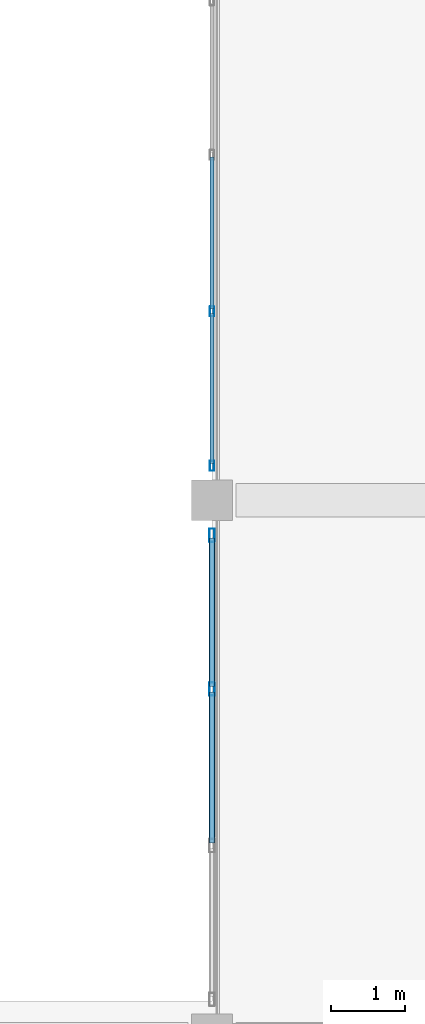
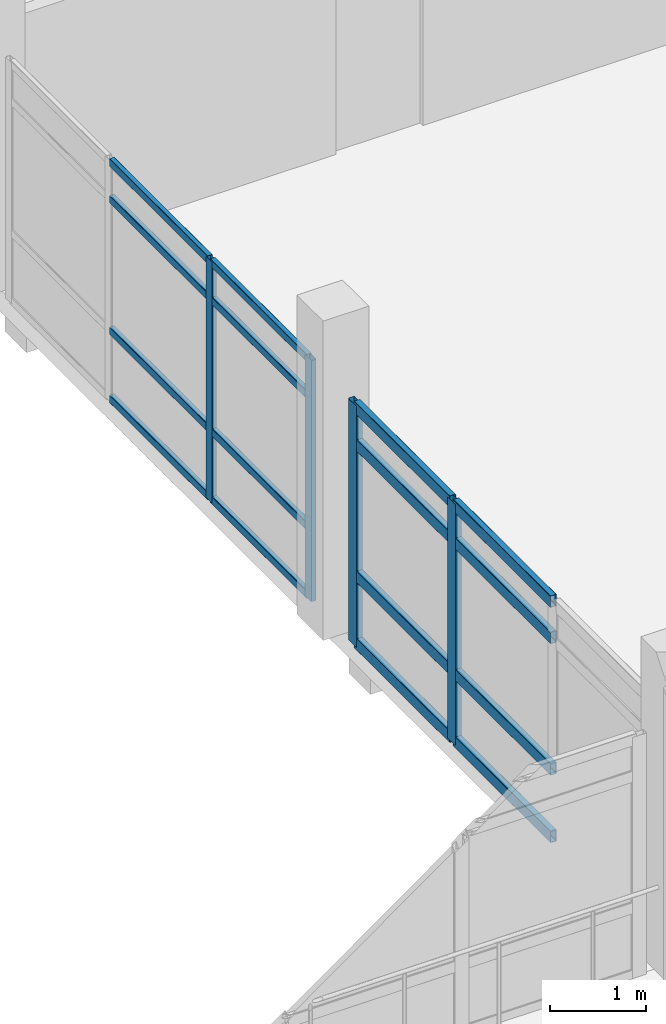
# One storey, part 18 of 50: 20 members, 2 elements without a shape of their own.
"""IFC4 building model written with IfcOpenShell, lengths in metres."""

from ifc_helpers import new_model, si_unit, direction, frame, origin, origin_2d, place, context, subcontext, project, spatial, hollow_rectangle, extrude, material, layer, layer_set, material_profile, profile_set, type_object, element, aggregate, save


model = new_model("IFC4")

# Units and contexts
model_context = context("Model", 3, precision=1e-05, world=origin(), true_north=direction((0.0, 1.0)))
body_context = subcontext(model_context, "Body", "Model", "MODEL_VIEW")
ifc_project = project(units=[si_unit("LENGTHUNIT", "METRE"), si_unit("AREAUNIT", "SQUARE_METRE"), si_unit("VOLUMEUNIT", "CUBIC_METRE"), si_unit("PLANEANGLEUNIT", "RADIAN"), si_unit("MASSUNIT", "GRAM", prefix="KILO")], contexts=[model_context])

# Site, building, storey
site_placement = place(None, origin())
site = spatial("IfcSite", under=ifc_project, at=site_placement, CompositionType="ELEMENT")
building_placement = place(site_placement, origin())
building = spatial("IfcBuilding", under=site, at=building_placement, Name="Asteropetra Specialist Clinic", CompositionType="ELEMENT")
storey_placement = place(building_placement, frame((0.0, 0.0, 16.659912109375)))
storey = spatial("IfcBuildingStorey", under=building, at=storey_placement, Name="L04", CompositionType="ELEMENT", Elevation=16.659912109375)

# Curtain wall, members
ifc_material_1 = material(Name="Aluminium and low-E glass", Category="aluminium")
ifc_layer_1 = layer(ifc_material_1, 0.135009765625)
ifc_layer_set_1 = layer_set([ifc_layer_1], Name="Aluminium and low-E glass")
curtain_wall_type_1 = type_object("IfcCurtainWallType", Name="CW-SYS-06", PredefinedType="USERDEFINED", material=ifc_layer_set_1)
curtain_wall_1_placement = place(storey_placement, origin())
curtain_wall_1 = element("IfcCurtainWall", 1, at=curtain_wall_1_placement, inside=storey, type_object=curtain_wall_type_1, Name="Curtain Wall CW-056", ObjectType="UNITISED CURTAIN WALL", PredefinedType="USERDEFINED")
ifc_material_2 = material(Name="Aluminium 6063-T6", Category="aluminium")
ifc_material_profile_1 = material_profile(ifc_material_2, hollow_rectangle(XDim=0.06005859375, YDim=0.135009765625, WallThickness=0.00341796875, InnerFilletRadius=0.00341796875, OuterFilletRadius=0.007080078125, at=origin_2d()), Name="MUL 135x60x3.5")
ifc_profile_set_1 = profile_set([ifc_material_profile_1], Name="Aluminium 6063-T6")
member_type_1 = type_object("IfcMemberType", Name="CWM-135x60", PredefinedType="MULLION", material=ifc_profile_set_1)
member_1_placement = place(storey_placement, frame((28.800048828125, 84.465087890625, 0.0), z_axis=(0.0, 0.0, 1.0), x_axis=(-1.0, 0.0, 0.0)))
member_1 = element("IfcMember", 2, at=member_1_placement, type_object=member_type_1, Name="CW-056 mullion 1", PredefinedType="MULLION", context=body_context, shape_type="SweptSolid", body=[
    extrude(hollow_rectangle(XDim=0.06005859375, YDim=0.135009765625, WallThickness=0.00341796875, InnerFilletRadius=0.00341796875, OuterFilletRadius=0.007080078125, at=origin_2d()), origin(), (0.0, 0.0, 1.0), 3.080078125),
])
member_2_placement = place(storey_placement, frame((28.800048828125, 86.544921875, 0.0), z_axis=(0.0, 0.0, 1.0), x_axis=(-1.0, 0.0, 0.0)))
member_2 = element("IfcMember", 3, at=member_2_placement, type_object=member_type_1, Name="CW-056 mullion 2", PredefinedType="MULLION", context=body_context, shape_type="SweptSolid", body=[
    extrude(hollow_rectangle(XDim=0.06005859375, YDim=0.135009765625, WallThickness=0.00341796875, InnerFilletRadius=0.00341796875, OuterFilletRadius=0.007080078125, at=origin_2d()), origin(), (0.0, 0.0, 1.0), 3.080078125),
])

ifc_material_3 = material(Name="Aluminium and low-E glass", Category="aluminium")
ifc_layer_2 = layer(ifc_material_3, 0.14990234375)
ifc_layer_set_2 = layer_set([ifc_layer_2], Name="Aluminium and low-E glass")
curtain_wall_type_2 = type_object("IfcCurtainWallType", Name="CW-SYS-05", PredefinedType="USERDEFINED", material=ifc_layer_set_2)
curtain_wall_2_placement = place(storey_placement, origin())
curtain_wall_2 = element("IfcCurtainWall", 4, at=curtain_wall_2_placement, inside=storey, type_object=curtain_wall_type_2, Name="Curtain Wall CW-054", ObjectType="UNITISED CURTAIN WALL", PredefinedType="USERDEFINED")
ifc_material_4 = material(Name="Aluminium 6063-T6", Category="aluminium")
ifc_material_profile_2 = material_profile(ifc_material_4, hollow_rectangle(XDim=0.074951171875, YDim=0.179931640625, WallThickness=0.00390625, InnerFilletRadius=0.00390625, OuterFilletRadius=0.008056640625, at=origin_2d()), Name="MUL 180x75x4.0")
ifc_profile_set_2 = profile_set([ifc_material_profile_2], Name="Aluminium 6063-T6")
member_type_2 = type_object("IfcMemberType", Name="CWM-180x75", PredefinedType="MULLION", material=ifc_profile_set_2)
member_3_placement = place(storey_placement, frame((28.800048828125, 81.455078125, 0.0), z_axis=(0.0, 0.0, 1.0), x_axis=(-1.0, 0.0, 0.0)))
member_3 = element("IfcMember", 5, at=member_3_placement, type_object=member_type_2, Name="CW-054 mullion 3", PredefinedType="MULLION", context=body_context, shape_type="SweptSolid", body=[
    extrude(hollow_rectangle(XDim=0.074951171875, YDim=0.179931640625, WallThickness=0.00390625, InnerFilletRadius=0.00390625, OuterFilletRadius=0.008056640625, at=origin_2d()), origin(), (0.0, 0.0, 1.0), 3.080078125),
])
member_4_placement = place(storey_placement, frame((28.800048828125, 83.527587890625, 0.0), z_axis=(0.0, 0.0, 1.0), x_axis=(-1.0, 0.0, 0.0)))
member_4 = element("IfcMember", 6, at=member_4_placement, type_object=member_type_2, Name="CW-054 mullion 4", PredefinedType="MULLION", context=body_context, shape_type="SweptSolid", body=[
    extrude(hollow_rectangle(XDim=0.074951171875, YDim=0.179931640625, WallThickness=0.00390625, InnerFilletRadius=0.00390625, OuterFilletRadius=0.008056640625, at=origin_2d()), origin(), (0.0, 0.0, 1.0), 3.080078125),
])

# Member
ifc_material_5 = material(Name="Aluminium 6063-T6", Category="aluminium")
ifc_material_profile_3 = material_profile(ifc_material_5, hollow_rectangle(XDim=0.06005859375, YDim=0.10009765625, WallThickness=0.00341796875, InnerFilletRadius=0.00341796875, OuterFilletRadius=0.007080078125, at=origin_2d()), Name="TRN 100x60x3.5")
ifc_profile_set_3 = profile_set([ifc_material_profile_3], Name="Aluminium 6063-T6")
member_type_3 = type_object("IfcMemberType", Name="CWT-100x60", PredefinedType="USERDEFINED", material=ifc_profile_set_3)
member_5_placement = place(storey_placement, frame((28.800048828125, 84.4951171875, 0.030029296875), z_axis=(0.0, 1.0, 0.0), x_axis=(-1.0, 0.0, 0.0)))
member_5 = element("IfcMember", 7, at=member_5_placement, type_object=member_type_3, Name="CW-056 transom 1.1", ObjectType="TRANSOM", PredefinedType="USERDEFINED", context=body_context, shape_type="SweptSolid", body=[
    extrude(hollow_rectangle(XDim=0.06005859375, YDim=0.10009765625, WallThickness=0.00341796875, InnerFilletRadius=0.00341796875, OuterFilletRadius=0.007080078125, at=origin_2d()), origin(), (0.0, 0.0, 1.0), 2.019775390625),
])

member_6_placement = place(storey_placement, frame((28.800048828125, 84.4951171875, 0.900146484375), z_axis=(0.0, 1.0, 0.0), x_axis=(-1.0, 0.0, 0.0)))
member_6 = element("IfcMember", 8, at=member_6_placement, type_object=member_type_3, Name="CW-056 transom 1.2", ObjectType="TRANSOM", PredefinedType="USERDEFINED", context=body_context, shape_type="SweptSolid", body=[
    extrude(hollow_rectangle(XDim=0.06005859375, YDim=0.10009765625, WallThickness=0.00341796875, InnerFilletRadius=0.00341796875, OuterFilletRadius=0.007080078125, at=origin_2d()), origin(), (0.0, 0.0, 1.0), 2.019775390625),
])

member_7_placement = place(storey_placement, frame((28.800048828125, 84.4951171875, 2.580078125), z_axis=(0.0, 1.0, 0.0), x_axis=(-1.0, 0.0, 0.0)))
member_7 = element("IfcMember", 9, at=member_7_placement, type_object=member_type_3, Name="CW-056 transom 1.3", ObjectType="TRANSOM", PredefinedType="USERDEFINED", context=body_context, shape_type="SweptSolid", body=[
    extrude(hollow_rectangle(XDim=0.06005859375, YDim=0.10009765625, WallThickness=0.00341796875, InnerFilletRadius=0.00341796875, OuterFilletRadius=0.007080078125, at=origin_2d()), origin(), (0.0, 0.0, 1.0), 2.019775390625),
])

member_8_placement = place(storey_placement, frame((28.800048828125, 84.4951171875, 3.050048828125), z_axis=(0.0, 1.0, 0.0), x_axis=(-1.0, 0.0, 0.0)))
member_8 = element("IfcMember", 10, at=member_8_placement, type_object=member_type_3, Name="CW-056 transom 1.4", ObjectType="TRANSOM", PredefinedType="USERDEFINED", context=body_context, shape_type="SweptSolid", body=[
    extrude(hollow_rectangle(XDim=0.06005859375, YDim=0.10009765625, WallThickness=0.00341796875, InnerFilletRadius=0.00341796875, OuterFilletRadius=0.007080078125, at=origin_2d()), origin(), (0.0, 0.0, 1.0), 2.019775390625),
])

member_9_placement = place(storey_placement, frame((28.800048828125, 86.574951171875, 0.030029296875), z_axis=(0.0, 1.0, 0.0), x_axis=(-1.0, 0.0, 0.0)))
member_9 = element("IfcMember", 11, at=member_9_placement, type_object=member_type_3, Name="CW-056 transom 2.1", ObjectType="TRANSOM", PredefinedType="USERDEFINED", context=body_context, shape_type="SweptSolid", body=[
    extrude(hollow_rectangle(XDim=0.06005859375, YDim=0.10009765625, WallThickness=0.00341796875, InnerFilletRadius=0.00341796875, OuterFilletRadius=0.007080078125, at=origin_2d()), origin(), (0.0, 0.0, 1.0), 2.050048828125),
])

member_10_placement = place(storey_placement, frame((28.800048828125, 86.574951171875, 0.900146484375), z_axis=(0.0, 1.0, 0.0), x_axis=(-1.0, 0.0, 0.0)))
member_10 = element("IfcMember", 12, at=member_10_placement, type_object=member_type_3, Name="CW-056 transom 2.2", ObjectType="TRANSOM", PredefinedType="USERDEFINED", context=body_context, shape_type="SweptSolid", body=[
    extrude(hollow_rectangle(XDim=0.06005859375, YDim=0.10009765625, WallThickness=0.00341796875, InnerFilletRadius=0.00341796875, OuterFilletRadius=0.007080078125, at=origin_2d()), origin(), (0.0, 0.0, 1.0), 2.050048828125),
])

member_11_placement = place(storey_placement, frame((28.800048828125, 86.574951171875, 2.580078125), z_axis=(0.0, 1.0, 0.0), x_axis=(-1.0, 0.0, 0.0)))
member_11 = element("IfcMember", 13, at=member_11_placement, type_object=member_type_3, Name="CW-056 transom 2.3", ObjectType="TRANSOM", PredefinedType="USERDEFINED", context=body_context, shape_type="SweptSolid", body=[
    extrude(hollow_rectangle(XDim=0.06005859375, YDim=0.10009765625, WallThickness=0.00341796875, InnerFilletRadius=0.00341796875, OuterFilletRadius=0.007080078125, at=origin_2d()), origin(), (0.0, 0.0, 1.0), 2.050048828125),
])

member_12_placement = place(storey_placement, frame((28.800048828125, 86.574951171875, 3.050048828125), z_axis=(0.0, 1.0, 0.0), x_axis=(-1.0, 0.0, 0.0)))
member_12 = element("IfcMember", 14, at=member_12_placement, type_object=member_type_3, Name="CW-056 transom 2.4", ObjectType="TRANSOM", PredefinedType="USERDEFINED", context=body_context, shape_type="SweptSolid", body=[
    extrude(hollow_rectangle(XDim=0.06005859375, YDim=0.10009765625, WallThickness=0.00341796875, InnerFilletRadius=0.00341796875, OuterFilletRadius=0.007080078125, at=origin_2d()), origin(), (0.0, 0.0, 1.0), 2.050048828125),
])

aggregate(curtain_wall_1, [member_1, member_2, member_5, member_6, member_7, member_8, member_9, member_10, member_11, member_12])

ifc_material_6 = material(Name="Aluminium 6063-T6", Category="aluminium")
ifc_material_profile_4 = material_profile(ifc_material_6, hollow_rectangle(XDim=0.074951171875, YDim=0.14990234375, WallThickness=0.00390625, InnerFilletRadius=0.00390625, OuterFilletRadius=0.008056640625, at=origin_2d()), Name="TRN 150x75x4.0")
ifc_profile_set_4 = profile_set([ifc_material_profile_4], Name="Aluminium 6063-T6")
member_type_4 = type_object("IfcMemberType", Name="CWT-150x75", PredefinedType="USERDEFINED", material=ifc_profile_set_4)
member_13_placement = place(storey_placement, frame((28.800048828125, 79.382568359375, 0.03759765625), z_axis=(0.0, 1.0, 0.0), x_axis=(-1.0, 0.0, 0.0)))
member_13 = element("IfcMember", 15, at=member_13_placement, type_object=member_type_4, Name="CW-054 transom 2.1", ObjectType="TRANSOM", PredefinedType="USERDEFINED", context=body_context, shape_type="SweptSolid", body=[
    extrude(hollow_rectangle(XDim=0.074951171875, YDim=0.14990234375, WallThickness=0.00390625, InnerFilletRadius=0.00390625, OuterFilletRadius=0.008056640625, at=origin_2d()), origin(), (0.0, 0.0, 1.0), 2.034912109375),
])

member_14_placement = place(storey_placement, frame((28.800048828125, 79.382568359375, 0.900146484375), z_axis=(0.0, 1.0, 0.0), x_axis=(-1.0, 0.0, 0.0)))
member_14 = element("IfcMember", 16, at=member_14_placement, type_object=member_type_4, Name="CW-054 transom 2.2", ObjectType="TRANSOM", PredefinedType="USERDEFINED", context=body_context, shape_type="SweptSolid", body=[
    extrude(hollow_rectangle(XDim=0.074951171875, YDim=0.14990234375, WallThickness=0.00390625, InnerFilletRadius=0.00390625, OuterFilletRadius=0.008056640625, at=origin_2d()), origin(), (0.0, 0.0, 1.0), 2.034912109375),
])

member_15_placement = place(storey_placement, frame((28.800048828125, 79.382568359375, 2.580078125), z_axis=(0.0, 1.0, 0.0), x_axis=(-1.0, 0.0, 0.0)))
member_15 = element("IfcMember", 17, at=member_15_placement, type_object=member_type_4, Name="CW-054 transom 2.3", ObjectType="TRANSOM", PredefinedType="USERDEFINED", context=body_context, shape_type="SweptSolid", body=[
    extrude(hollow_rectangle(XDim=0.074951171875, YDim=0.14990234375, WallThickness=0.00390625, InnerFilletRadius=0.00390625, OuterFilletRadius=0.008056640625, at=origin_2d()), origin(), (0.0, 0.0, 1.0), 2.034912109375),
])

member_16_placement = place(storey_placement, frame((28.800048828125, 79.382568359375, 3.04248046875), z_axis=(0.0, 1.0, 0.0), x_axis=(-1.0, 0.0, 0.0)))
member_16 = element("IfcMember", 18, at=member_16_placement, type_object=member_type_4, Name="CW-054 transom 2.4", ObjectType="TRANSOM", PredefinedType="USERDEFINED", context=body_context, shape_type="SweptSolid", body=[
    extrude(hollow_rectangle(XDim=0.074951171875, YDim=0.14990234375, WallThickness=0.00390625, InnerFilletRadius=0.00390625, OuterFilletRadius=0.008056640625, at=origin_2d()), origin(), (0.0, 0.0, 1.0), 2.034912109375),
])

member_17_placement = place(storey_placement, frame((28.800048828125, 81.492431640625, 0.03759765625), z_axis=(0.0, 1.0, 0.0), x_axis=(-1.0, 0.0, 0.0)))
member_17 = element("IfcMember", 19, at=member_17_placement, type_object=member_type_4, Name="CW-054 transom 3.1", ObjectType="TRANSOM", PredefinedType="USERDEFINED", context=body_context, shape_type="SweptSolid", body=[
    extrude(hollow_rectangle(XDim=0.074951171875, YDim=0.14990234375, WallThickness=0.00390625, InnerFilletRadius=0.00390625, OuterFilletRadius=0.008056640625, at=origin_2d()), origin(), (0.0, 0.0, 1.0), 1.99755859375),
])

member_18_placement = place(storey_placement, frame((28.800048828125, 81.492431640625, 0.900146484375), z_axis=(0.0, 1.0, 0.0), x_axis=(-1.0, 0.0, 0.0)))
member_18 = element("IfcMember", 20, at=member_18_placement, type_object=member_type_4, Name="CW-054 transom 3.2", ObjectType="TRANSOM", PredefinedType="USERDEFINED", context=body_context, shape_type="SweptSolid", body=[
    extrude(hollow_rectangle(XDim=0.074951171875, YDim=0.14990234375, WallThickness=0.00390625, InnerFilletRadius=0.00390625, OuterFilletRadius=0.008056640625, at=origin_2d()), origin(), (0.0, 0.0, 1.0), 1.99755859375),
])

member_19_placement = place(storey_placement, frame((28.800048828125, 81.492431640625, 2.580078125), z_axis=(0.0, 1.0, 0.0), x_axis=(-1.0, 0.0, 0.0)))
member_19 = element("IfcMember", 21, at=member_19_placement, type_object=member_type_4, Name="CW-054 transom 3.3", ObjectType="TRANSOM", PredefinedType="USERDEFINED", context=body_context, shape_type="SweptSolid", body=[
    extrude(hollow_rectangle(XDim=0.074951171875, YDim=0.14990234375, WallThickness=0.00390625, InnerFilletRadius=0.00390625, OuterFilletRadius=0.008056640625, at=origin_2d()), origin(), (0.0, 0.0, 1.0), 1.99755859375),
])

member_20_placement = place(storey_placement, frame((28.800048828125, 81.492431640625, 3.04248046875), z_axis=(0.0, 1.0, 0.0), x_axis=(-1.0, 0.0, 0.0)))
member_20 = element("IfcMember", 22, at=member_20_placement, type_object=member_type_4, Name="CW-054 transom 3.4", ObjectType="TRANSOM", PredefinedType="USERDEFINED", context=body_context, shape_type="SweptSolid", body=[
    extrude(hollow_rectangle(XDim=0.074951171875, YDim=0.14990234375, WallThickness=0.00390625, InnerFilletRadius=0.00390625, OuterFilletRadius=0.008056640625, at=origin_2d()), origin(), (0.0, 0.0, 1.0), 1.99755859375),
])

aggregate(curtain_wall_2, [member_3, member_4, member_13, member_14, member_15, member_16, member_17, member_18, member_19, member_20])

save(model, "model.ifc")
